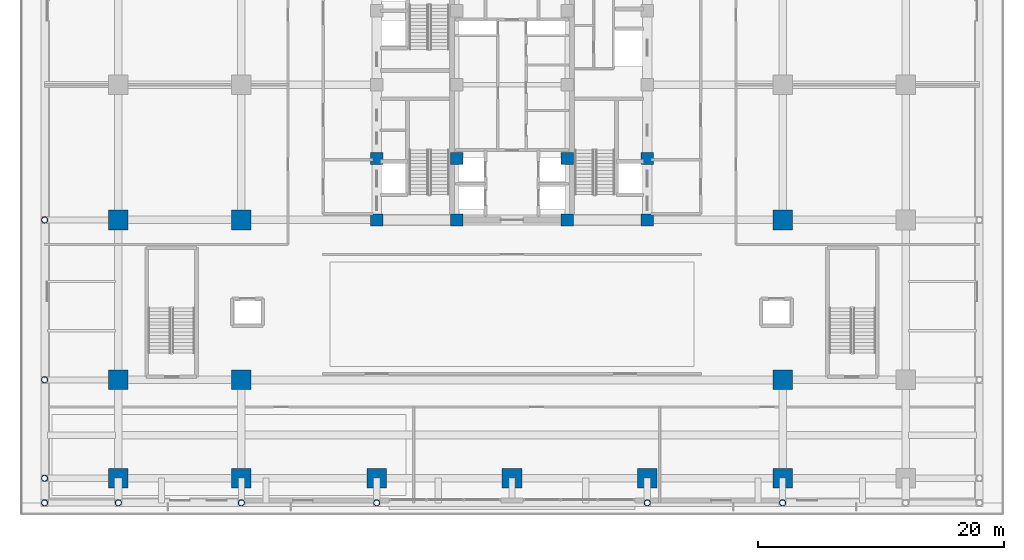
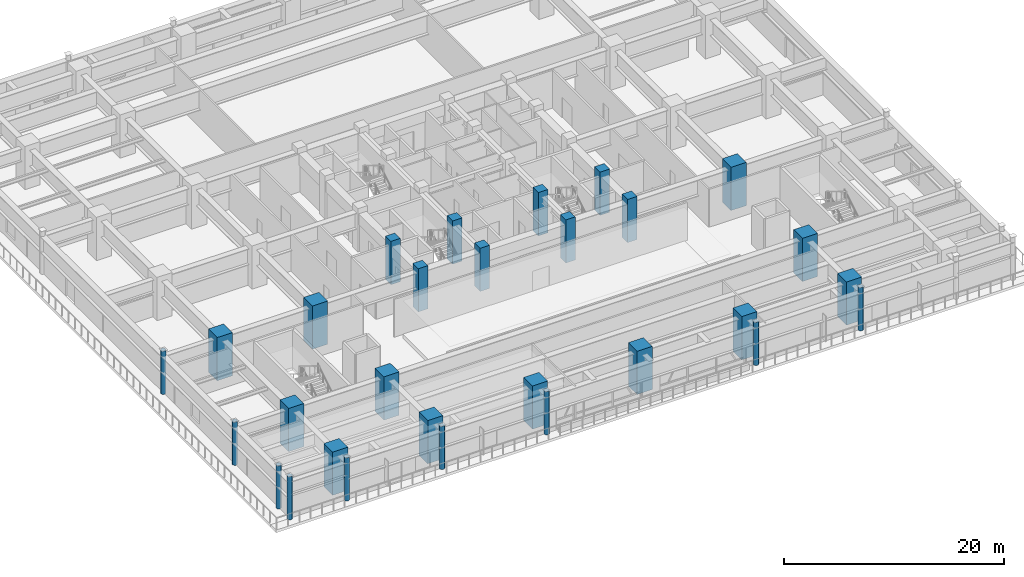
# One storey, part 1 of 35: 29 columns.
"""IFC4 building model written with IfcOpenShell, lengths in metres."""

from ifc_helpers import new_model, si_unit, direction, frame, origin, origin_2d, place, context, subcontext, project, spatial, rectangle, hollow_circle, extrude, source, transform, mapped, material, material_profile, profile_set, type_object, element, save


model = new_model("IFC4")

# Units and contexts
model_context = context("Model", 3, precision=1e-05, world=origin(), true_north=direction((0.0, 1.0)))
body_context = subcontext(model_context, "Body", "Model", "MODEL_VIEW")
ifc_project = project(units=[si_unit("LENGTHUNIT", "METRE"), si_unit("AREAUNIT", "SQUARE_METRE"), si_unit("VOLUMEUNIT", "CUBIC_METRE"), si_unit("PLANEANGLEUNIT", "RADIAN"), si_unit("MASSUNIT", "GRAM", prefix="KILO")], contexts=[model_context])

# Site, building, storey
site_placement = place(None, origin())
site = spatial("IfcSite", under=ifc_project, at=site_placement, CompositionType="ELEMENT")
building_placement = place(site_placement, origin())
building = spatial("IfcBuilding", under=site, at=building_placement, Name="Khorayat Bourse Tower", CompositionType="ELEMENT")
storey_placement = place(building_placement, frame((0.0, 0.0, 22.199951171875)))
storey = spatial("IfcBuildingStorey", under=building, at=storey_placement, Name="L04", CompositionType="ELEMENT", Elevation=22.199951171875)

# Columns
ifc_material_1 = material(Name="Concrete C72/90", Category="concrete")
ifc_material_profile_1 = material_profile(ifc_material_1, rectangle(XDim=1.60009765625, YDim=1.60009765625, at=origin_2d()), Name="RC 1600x1600")
ifc_profile_set_1 = profile_set([ifc_material_profile_1], Name="Concrete C72/90")
column_type_1 = type_object("IfcColumnType", Name="COL-MEGA-1600", PredefinedType="COLUMN", material=ifc_profile_set_1)
shared_shape_1 = source(origin(), body_context, "Body", "SweptSolid", [
    extrude(rectangle(XDim=1.60009765625, YDim=1.60009765625, at=origin_2d()), origin(), (0.0, 0.0, 1.0), 4.800048828125),
])
for number, where, z_axis, x_axis, name in (
    (1, (-32.0, -32.0, 0.0), (0.0, 0.0, 1.0), (1.0, 0.0, 0.0), "L04 Column 008"),
    (2, (-32.0, -24.0, 0.0), (0.0, 0.0, 1.0), (1.0, 0.0, 0.0), "L04 Column 009"),
    (3, (-32.0, -11.0, 0.0), (0.0, 0.0, 1.0), (1.0, 0.0, 0.0), "L04 Column 010"),
    (4, (-22.0, -32.0, 0.0), (0.0, 0.0, 1.0), (1.0, 0.0, 0.0), "L04 Column 017"),
    (5, (-22.0, -24.0, 0.0), (0.0, 0.0, 1.0), (1.0, 0.0, 0.0), "L04 Column 018"),
    (6, (-22.0, -11.0, 0.0), (0.0, 0.0, 1.0), (1.0, 0.0, 0.0), "L04 Column 019"),
    (7, (-11.0, -32.0, 0.0), (0.0, 0.0, 1.0), (1.0, 0.0, 0.0), "L04 Column 026"),
    (8, (0.0, -32.0, 0.0), (0.0, 0.0, 1.0), (1.0, 0.0, 0.0), "L04 Column 039"),
    (9, (11.0, -32.0, 0.0), (0.0, 0.0, 1.0), (1.0, 0.0, 0.0), "L04 Column 047"),
    (10, (22.0, -32.0, 0.0), (0.0, 0.0, 1.0), (1.0, 0.0, 0.0), "L04 Column 056"),
    (11, (22.0, -24.0, 0.0), (0.0, 0.0, 1.0), (1.0, 0.0, 0.0), "L04 Column 057"),
    (12, (22.0, -11.0, 0.0), (0.0, 0.0, 1.0), (1.0, 0.0, 0.0), "L04 Column 058"),
):
    element("IfcColumn", number, at=place(storey_placement, frame(where, z_axis=z_axis, x_axis=x_axis)), inside=storey, type_object=column_type_1, Name=name, PredefinedType="COLUMN", context=body_context, shape_type="MappedRepresentation", body=[
        mapped(shared_shape_1, transform((0.0, 0.0, 0.0), scale=1.0)),
    ])
ifc_material_profile_2 = material_profile(ifc_material_1, rectangle(XDim=1.0, YDim=1.0, at=origin_2d()), Name="RC 1000x1000")
ifc_profile_set_2 = profile_set([ifc_material_profile_2], Name="Concrete C72/90")
column_type_2 = type_object("IfcColumnType", Name="COL-CORE-1000", PredefinedType="COLUMN", material=ifc_profile_set_2)
shared_shape_2 = source(origin(), body_context, "Body", "SweptSolid", [
    extrude(rectangle(XDim=1.0, YDim=1.0, at=origin_2d()), origin(), (0.0, 0.0, 1.0), 4.800048828125),
])
for number, where, z_axis, x_axis, name in (
    (13, (-11.0, -11.0, 0.0), (0.0, 0.0, 1.0), (1.0, 0.0, 0.0), "L04 Column 027"),
    (14, (-11.0, -6.0, 0.0), (0.0, 0.0, 1.0), (1.0, 0.0, 0.0), "L04 Column 028"),
    (15, (-4.5, -11.0, 0.0), (0.0, 0.0, 1.0), (1.0, 0.0, 0.0), "L04 Column 034"),
    (16, (-4.5, -6.0, 0.0), (0.0, 0.0, 1.0), (1.0, 0.0, 0.0), "L04 Column 035"),
    (17, (4.5, -11.0, 0.0), (0.0, 0.0, 1.0), (1.0, 0.0, 0.0), "L04 Column 041"),
    (18, (4.5, -6.0, 0.0), (0.0, 0.0, 1.0), (1.0, 0.0, 0.0), "L04 Column 042"),
    (19, (11.0, -11.0, 0.0), (0.0, 0.0, 1.0), (1.0, 0.0, 0.0), "L04 Column 048"),
    (20, (11.0, -6.0, 0.0), (0.0, 0.0, 1.0), (1.0, 0.0, 0.0), "L04 Column 049"),
):
    element("IfcColumn", number, at=place(storey_placement, frame(where, z_axis=z_axis, x_axis=x_axis)), inside=storey, type_object=column_type_2, Name=name, PredefinedType="COLUMN", context=body_context, shape_type="MappedRepresentation", body=[
        mapped(shared_shape_2, transform((0.0, 0.0, 0.0), scale=1.0)),
    ])
ifc_material_2 = material(Name="Steel EN 10025-2 S355J2", Category="steel")
ifc_material_profile_3 = material_profile(ifc_material_2, hollow_circle(Radius=0.25390625, WallThickness=0.02490234375, at=origin_2d()), Name="CHS 508x25")
ifc_profile_set_3 = profile_set([ifc_material_profile_3], Name="Steel EN 10025-2 S355J2")
column_type_3 = type_object("IfcColumnType", Name="COL-POD-CHS508", PredefinedType="COLUMN", material=ifc_profile_set_3)
shared_shape_3 = source(origin(), body_context, "Body", "SweptSolid", [
    extrude(hollow_circle(Radius=0.25390625, WallThickness=0.02490234375, at=origin_2d()), origin(), (0.0, 0.0, 1.0), 4.800048828125),
])
for number, where, z_axis, x_axis, name in (
    (21, (-38.0, -34.0, 0.0), (0.0, 0.0, 1.0), (1.0, 0.0, 0.0), "L04 Column 001"),
    (22, (-38.0, -24.0, 0.0), (0.0, 0.0, 1.0), (1.0, 0.0, 0.0), "L04 Column 002"),
    (23, (-38.0, -11.0, 0.0), (0.0, 0.0, 1.0), (1.0, 0.0, 0.0), "L04 Column 003"),
    (24, (-32.0, -34.0, 0.0), (0.0, 0.0, 1.0), (1.0, 0.0, 0.0), "L04 Column 007"),
    (25, (-22.0, -34.0, 0.0), (0.0, 0.0, 1.0), (1.0, 0.0, 0.0), "L04 Column 016"),
    (26, (-11.0, -34.0, 0.0), (0.0, 0.0, 1.0), (1.0, 0.0, 0.0), "L04 Column 025"),
    (27, (11.0, -34.0, 0.0), (0.0, 0.0, 1.0), (1.0, 0.0, 0.0), "L04 Column 046"),
    (28, (22.0, -34.0, 0.0), (0.0, 0.0, 1.0), (1.0, 0.0, 0.0), "L04 Column 055"),
    (29, (-38.0, -32.0, 0.0), (0.0, 0.0, 1.0), (1.0, 0.0, 0.0), "L04 Perimeter Step Column 1"),
):
    element("IfcColumn", number, at=place(storey_placement, frame(where, z_axis=z_axis, x_axis=x_axis)), inside=storey, type_object=column_type_3, Name=name, PredefinedType="COLUMN", context=body_context, shape_type="MappedRepresentation", body=[
        mapped(shared_shape_3, transform((0.0, 0.0, 0.0), scale=1.0)),
    ])

save(model, "model.ifc")
